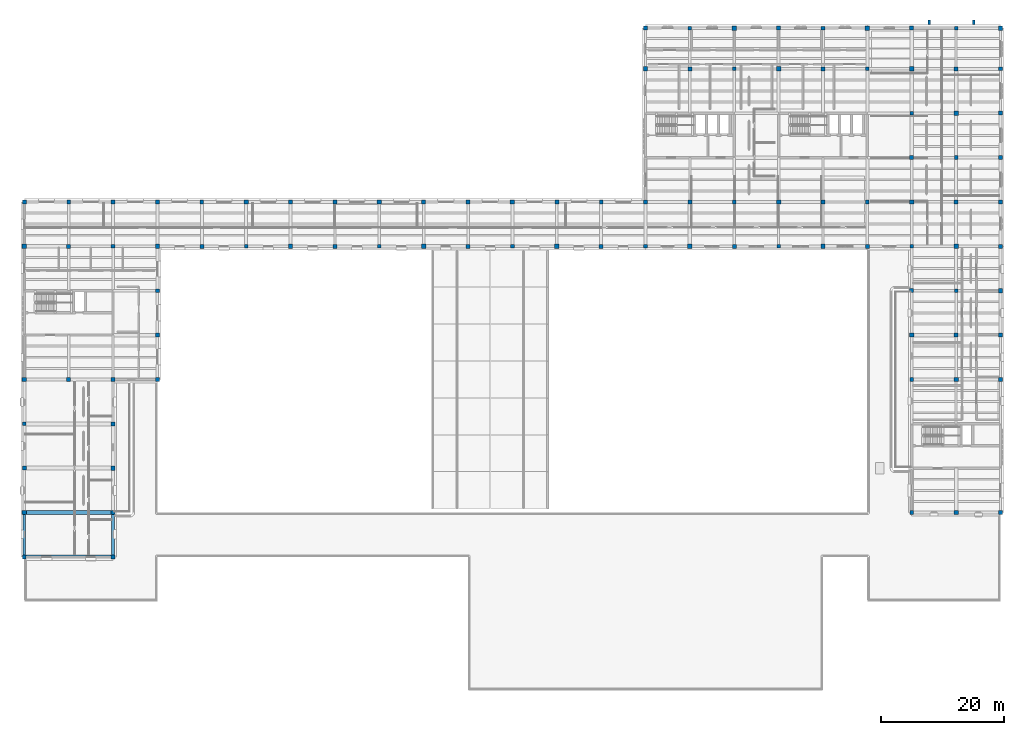
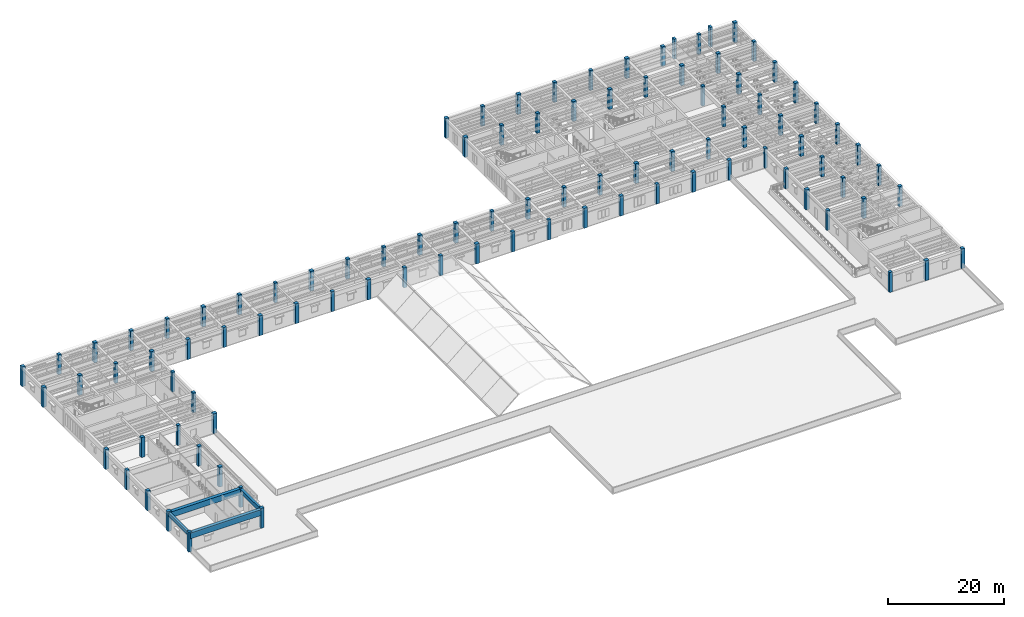
# One storey, part 1 of 40: 98 columns, 4 beams.
"""IFC4 building model written with IfcOpenShell, lengths in metres."""

import ifcopenshell
import ifcopenshell.guid

model = None  # the IFC model being written
_history = None  # IfcOwnerHistory: only IFC2X3 demands one
_inside = {}  # id of a spatial element -> (the spatial element, [elements in it])
_under = {}  # id of a project, library or spatial element -> (it, [spatial elements below it])
_declared = {}  # id of a project -> (the project, [libraries it declares])
_typed = {}  # id of a type object -> (the type object, [elements of that type])
_made_of = {}  # id of a material, layer set ... -> (it, [elements and type objects made of it])


def new_model(schema):
    """Start an empty IFC model of exactly this schema.

    Asked for "IFC4X3", IfcOpenShell would pick the latest addendum, in which some entities
    have other attributes; the version numbers below select the first issue.
    IFC2X3 requires an IfcOwnerHistory on every rooted entity: one is made here for all.
    """
    global model, _history
    if schema == "IFC4X3":
        model = ifcopenshell.file(schema_version=(4, 3, 0, 0))
    else:
        model = ifcopenshell.file(schema=schema)
    _inside.clear()
    _under.clear()
    _declared.clear()
    _typed.clear()
    _made_of.clear()
    _history = None
    if model.schema == "IFC2X3":
        org = make("IfcOrganization", Name="unknown")
        user = make(
            "IfcPersonAndOrganization",
            ThePerson=make("IfcPerson", FamilyName="unknown"),
            TheOrganization=org,
        )
        app = make(
            "IfcApplication",
            ApplicationDeveloper=org,
            Version="unknown",
            ApplicationFullName="unknown",
            ApplicationIdentifier="unknown",
        )
        _history = make(
            "IfcOwnerHistory",
            OwningUser=user,
            OwningApplication=app,
            ChangeAction="ADDED",
            CreationDate=0,
        )
    return model


def make(cls, **values):
    """One entity of the class cls with the attributes given. An attribute that is None is left unset."""
    return model.create_entity(
        cls, **{name: value for name, value in values.items() if value is not None}
    )


def rooted(cls, **values):
    """An entity with a GlobalId (a new one), such as an element, a storey or a relation."""
    return make(cls, GlobalId=ifcopenshell.guid.new(), OwnerHistory=_history, **values)


def si_unit(unit_type, name, prefix=None):
    """IfcSIUnit, for example si_unit("LENGTHUNIT", "METRE", prefix="MILLI")."""
    return make("IfcSIUnit", UnitType=unit_type, Prefix=prefix, Name=name)


def assignment(units):
    """IfcUnitAssignment: the units of a project."""
    return None if units is None else make("IfcUnitAssignment", Units=units)


def point(xyz):
    """IfcCartesianPoint."""
    return None if xyz is None else make("IfcCartesianPoint", Coordinates=xyz)


def direction(xyz):
    """IfcDirection."""
    return None if xyz is None else make("IfcDirection", DirectionRatios=xyz)


def frame(location, z_axis=None, x_axis=None):
    """IfcAxis2Placement3D, a coordinate frame: its origin and axes. An axis left out is left unset."""
    return make(
        "IfcAxis2Placement3D",
        Location=point(location),
        Axis=direction(z_axis),
        RefDirection=direction(x_axis),
    )


def frame_2d(location, x_axis=None):
    """IfcAxis2Placement2D, a coordinate frame in the plane: its origin and x axis."""
    return make(
        "IfcAxis2Placement2D", Location=point(location), RefDirection=direction(x_axis)
    )


def origin():
    """The frame at (0, 0, 0) with its axes left unset."""
    return frame((0.0, 0.0, 0.0))


def origin_2d():
    """The frame at (0, 0) in the plane with its x axis left unset."""
    return frame_2d((0.0, 0.0))


def place(relative_to, where):
    """IfcLocalPlacement: puts the frame where relative to a parent placement (None: the world)."""
    return make(
        "IfcLocalPlacement", PlacementRelTo=relative_to, RelativePlacement=where
    )


def context(
    kind, dimensions, precision=None, world=None, true_north=None, identifier=None
):
    """IfcGeometricRepresentationContext, for example the 3D "Model" context."""
    return make(
        "IfcGeometricRepresentationContext",
        ContextIdentifier=identifier,
        ContextType=kind,
        CoordinateSpaceDimension=dimensions,
        Precision=precision,
        WorldCoordinateSystem=world,
        TrueNorth=true_north,
    )


def subcontext(parent, identifier, kind, view, scale=None):
    """IfcGeometricRepresentationSubContext, for example "Body" below "Model"."""
    return make(
        "IfcGeometricRepresentationSubContext",
        ContextIdentifier=identifier,
        ContextType=kind,
        ParentContext=parent,
        TargetScale=scale,
        TargetView=view,
    )


def project(units=None, contexts=None):
    """IfcProject with its units and contexts."""
    return rooted(
        "IfcProject",
        Name="project",
        RepresentationContexts=contexts,
        UnitsInContext=assignment(units),
    )


def spatial(cls, under=None, at=None, **own):
    """A site, building, storey or space (cls), placed at a placement, below another one or the project."""
    s = rooted(cls, ObjectPlacement=at, **own)
    if under is not None:
        _under.setdefault(under.id(), (under, []))[1].append(s)
    return s


def profile(cls, at=None, kind="AREA", **sizes):
    """A parametric profile (cls). Its sizes go by their IFC names, for example OverallWidth=200.0."""
    return make(cls, ProfileType=kind, Position=at, **sizes)


def rectangle(**sizes):
    """IfcRectangleProfileDef."""
    return profile("IfcRectangleProfileDef", **sizes)


def extrude(swept, where, along, depth):
    """IfcExtrudedAreaSolid: the profile swept, set in the frame where, extruded along a direction by depth."""
    return make(
        "IfcExtrudedAreaSolid",
        SweptArea=swept,
        Position=where,
        ExtrudedDirection=direction(along),
        Depth=depth,
    )


def shape(context_of_items, identifier, shape_type, items):
    """IfcShapeRepresentation: the items that make up one representation, for example the "Body"."""
    return make(
        "IfcShapeRepresentation",
        ContextOfItems=context_of_items,
        RepresentationIdentifier=identifier,
        RepresentationType=shape_type,
        Items=items,
    )


def material(Name=None, Category=None):
    """IfcMaterial."""
    return make("IfcMaterial", Name=Name, Category=Category)


def material_profile(
    of_material, cross_section, Name=None, Category=None, Priority=None
):
    """IfcMaterialProfile: a cross section and its material."""
    return make(
        "IfcMaterialProfile",
        Name=Name,
        Material=of_material,
        Profile=cross_section,
        Priority=Priority,
        Category=Category,
    )


def profile_set(profiles, Name=None, composite=None):
    """IfcMaterialProfileSet."""
    return make(
        "IfcMaterialProfileSet",
        Name=Name,
        MaterialProfiles=profiles,
        CompositeProfile=composite,
    )


def made_of(thing, what):
    """Note that an element or type object is made of a material, layer set ...; save() writes the relation."""
    if what is not None:
        _made_of.setdefault(what.id(), (what, []))[1].append(thing)
    return thing


def type_object(cls, material=None, **own):
    """A type object (cls), such as IfcWallType, which elements share."""
    return made_of(rooted(cls, **own), material)


def element(
    cls,
    number,
    at=None,
    inside=None,
    cuts=None,
    type_object=None,
    material=None,
    context=None,
    identifier="Body",
    shape_type=None,
    held_by="IfcProductDefinitionShape",
    body=None,
    shapes=None,
    **own,
):
    """One element of the class cls, such as IfcWall. Its Tag is "e" and its number.

    at: its placement. inside: the storey or other place that contains it. cuts: it is an
    opening in that element (IfcRelVoidsElement). A single representation is given by context,
    identifier, shape_type and body (its items); several are given by shapes. held_by: the class
    of the entity that holds the representations. save() writes the other relations.
    """
    e = rooted(cls, Tag="e%d" % number, ObjectPlacement=at, **own)
    if body is not None:
        shapes = [shape(context, identifier, shape_type, body)]
    if shapes is not None:
        e.Representation = make(held_by, Representations=shapes)
    if inside is not None:
        _inside.setdefault(inside.id(), (inside, []))[1].append(e)
    if cuts is not None:
        rooted(
            "IfcRelVoidsElement", RelatingBuildingElement=cuts, RelatedOpeningElement=e
        )
    if type_object is not None:
        _typed.setdefault(type_object.id(), (type_object, []))[1].append(e)
    return made_of(e, material)


def aggregate(whole, parts):
    """IfcRelAggregates: a whole, such as a stair, and the parts it consists of."""
    return rooted("IfcRelAggregates", RelatingObject=whole, RelatedObjects=parts)


def save(model, path):
    """Write the relations noted so far, then the file.

    IfcRelAggregates (storeys below a building ...), IfcRelContainedInSpatialStructure (elements
    in a storey), IfcRelDefinesByType, IfcRelAssociatesMaterial and IfcRelDeclares: one each for
    every whole, place, type object, material and project.
    """
    for whole, parts in _under.values():
        aggregate(whole, parts)
    for where, things in _inside.values():
        rooted(
            "IfcRelContainedInSpatialStructure",
            RelatedElements=things,
            RelatingStructure=where,
        )
    for kind, things in _typed.values():
        rooted("IfcRelDefinesByType", RelatedObjects=things, RelatingType=kind)
    for what, things in _made_of.values():
        rooted("IfcRelAssociatesMaterial", RelatedObjects=things, RelatingMaterial=what)
    for by, libraries in _declared.values():
        rooted("IfcRelDeclares", RelatingContext=by, RelatedDefinitions=libraries)
    model.write(path)


model = new_model("IFC4")

# Units and contexts
model_context = context("Model", 3, precision=1e-05, world=origin(), true_north=direction((0.0, 1.0)))
body_context = subcontext(model_context, "Body", "Model", "MODEL_VIEW")
ifc_project = project(units=[si_unit("LENGTHUNIT", "METRE"), si_unit("AREAUNIT", "SQUARE_METRE"), si_unit("VOLUMEUNIT", "CUBIC_METRE"), si_unit("PLANEANGLEUNIT", "RADIAN"), si_unit("MASSUNIT", "GRAM", prefix="KILO")], contexts=[model_context])

# Site, building, storey
site_placement = place(None, origin())
site = spatial("IfcSite", under=ifc_project, at=site_placement, CompositionType="ELEMENT")
building_placement = place(site_placement, origin())
building = spatial("IfcBuilding", under=site, at=building_placement, Name="Mithqara Police Headquarters", CompositionType="ELEMENT")
storey_placement = place(building_placement, frame((0.0, 0.0, 13.800048828125)))
storey = spatial("IfcBuildingStorey", under=building, at=storey_placement, Name="L03", CompositionType="ELEMENT", Elevation=13.800048828125)

# Columns
ifc_material_1 = material(Name="Concrete C50/60", Category="concrete")
ifc_material_profile_1 = material_profile(ifc_material_1, rectangle(XDim=0.60009765625, YDim=0.60009765625, at=origin_2d()), Name="RC 600x600")
ifc_profile_set_1 = profile_set([ifc_material_profile_1], Name="Concrete C50/60")
column_type_1 = type_object("IfcColumnType", Name="COLUMN RC600", PredefinedType="COLUMN", material=ifc_profile_set_1)
for number, where, z_axis, x_axis, name in (
    (1, (7.800048828125, 28.199951171875, 0.0), (0.0, 0.0, 1.0), (1.0, 0.0, 0.0), "L03 Column 2/E"),
    (2, (7.800048828125, 49.800048828125, 0.0), (0.0, 0.0, 1.0), (1.0, 0.0, 0.0), "L03 Column 2/H"),
    (3, (15.0, 85.800048828125, 0.0), (0.0, 0.0, 1.0), (1.0, 0.0, 0.0), "L03 Column 3/N"),
    (4, (22.199951171875, 35.39990234375, 0.0), (0.0, 0.0, 1.0), (1.0, 0.0, 0.0), "L03 Column 4/F"),
    (5, (22.199951171875, 57.0, 0.0), (0.0, 0.0, 1.0), (1.0, 0.0, 0.0), "L03 Column 4/J"),
    (6, (22.199951171875, 78.60009765625, 0.0), (0.0, 0.0, 1.0), (1.0, 0.0, 0.0), "L03 Column 4/M"),
    (7, (29.39990234375, 71.39990234375, 0.0), (0.0, 0.0, 1.0), (1.0, 0.0, 0.0), "L03 Column 5/L"),
    (8, (36.60009765625, 85.800048828125, 0.0), (0.0, 0.0, 1.0), (1.0, 0.0, 0.0), "L03 Column 6/N"),
    (9, (43.800048828125, 78.60009765625, 0.0), (0.0, 0.0, 1.0), (1.0, 0.0, 0.0), "L03 Column 7/M"),
    (10, (58.199951171875, 85.800048828125, 0.0), (0.0, 0.0, 1.0), (1.0, 0.0, 0.0), "L03 Column 9/N"),
    (11, (65.39990234375, 78.60009765625, 0.0), (0.0, 0.0, 1.0), (1.0, 0.0, 0.0), "L03 Column 10/M"),
    (12, (79.800048828125, 85.800048828125, 0.0), (0.0, 0.0, 1.0), (1.0, 0.0, 0.0), "L03 Column 12/N"),
    (13, (87.0, 78.60009765625, 0.0), (0.0, 0.0, 1.0), (1.0, 0.0, 0.0), "L03 Column 13/M"),
    (14, (101.39990234375, 85.800048828125, 0.0), (0.0, 0.0, 1.0), (1.0, 0.0, 0.0), "L03 Column 15/N"),
    (15, (108.60009765625, 78.60009765625, 0.0), (0.0, 0.0, 1.0), (1.0, 0.0, 0.0), "L03 Column 16/M"),
    (16, (115.800048828125, 114.0, 0.0), (0.0, 0.0, 1.0), (1.0, 0.0, 0.0), "L03 Column 17/S"),
    (17, (123.0, 85.800048828125, 0.0), (0.0, 0.0, 1.0), (1.0, 0.0, 0.0), "L03 Column 18/N"),
    (18, (123.0, 107.39990234375, 0.0), (0.0, 0.0, 1.0), (1.0, 0.0, 0.0), "L03 Column 18/R"),
    (19, (130.199951171875, 78.60009765625, 0.0), (0.0, 0.0, 1.0), (1.0, 0.0, 0.0), "L03 Column 19/M"),
    (20, (137.39990234375, 114.0, 0.0), (0.0, 0.0, 1.0), (1.0, 0.0, 0.0), "L03 Column 20/S"),
    (21, (144.60009765625, 85.800048828125, 0.0), (0.0, 0.0, 1.0), (1.0, 0.0, 0.0), "L03 Column 21/N"),
    (22, (144.60009765625, 107.39990234375, 0.0), (0.0, 0.0, 1.0), (1.0, 0.0, 0.0), "L03 Column 21/R"),
    (23, (151.800048828125, 35.39990234375, 0.0), (0.0, 0.0, 1.0), (1.0, 0.0, 0.0), "L03 Column 22/F"),
    (24, (151.800048828125, 57.0, 0.0), (0.0, 0.0, 1.0), (1.0, 0.0, 0.0), "L03 Column 22/J"),
    (25, (151.800048828125, 78.60009765625, 0.0), (0.0, 0.0, 1.0), (1.0, 0.0, 0.0), "L03 Column 22/M"),
    (26, (151.800048828125, 100.199951171875, 0.0), (0.0, 0.0, 1.0), (1.0, 0.0, 0.0), "L03 Column 22/Q"),
    (27, (159.0, 71.39990234375, 0.0), (0.0, 0.0, 1.0), (1.0, 0.0, 0.0), "L03 Column 23/L"),
    (28, (159.0, 93.0, 0.0), (0.0, 0.0, 1.0), (1.0, 0.0, 0.0), "L03 Column 23/P"),
    (29, (159.0, 114.0, 0.0), (0.0, 0.0, 1.0), (1.0, 0.0, 0.0), "L03 Column 23/S"),
    (30, (166.199951171875, 64.199951171875, 0.0), (0.0, 0.0, 1.0), (1.0, 0.0, 0.0), "L03 Column 24/K"),
    (31, (166.199951171875, 85.800048828125, 0.0), (0.0, 0.0, 1.0), (1.0, 0.0, 0.0), "L03 Column 24/N"),
    (32, (166.199951171875, 107.39990234375, 0.0), (0.0, 0.0, 1.0), (1.0, 0.0, 0.0), "L03 Column 24/R"),
):
    element("IfcColumn", number, at=place(storey_placement, frame(where, z_axis=z_axis, x_axis=x_axis)), inside=storey, type_object=column_type_1, Name=name, PredefinedType="COLUMN", context=body_context, shape_type="SweptSolid", body=[
        extrude(rectangle(XDim=0.60009765625, YDim=0.60009765625, at=origin_2d()), origin(), (0.0, 0.0, 1.0), 4.199951171875),
    ])
ifc_material_profile_2 = material_profile(ifc_material_1, rectangle(XDim=0.64990234375, YDim=0.64990234375, at=origin_2d()), Name="RC 650x650")
ifc_profile_set_2 = profile_set([ifc_material_profile_2], Name="Concrete C50/60")
column_type_2 = type_object("IfcColumnType", Name="COLUMN RC650", PredefinedType="COLUMN", material=ifc_profile_set_2)
for number, where, z_axis, x_axis, name in (
    (33, (7.800048828125, 42.60009765625, 0.0), (0.0, 0.0, 1.0), (1.0, 0.0, 0.0), "L03 Column 2/G"),
    (34, (7.800048828125, 85.800048828125, 0.0), (0.0, 0.0, 1.0), (1.0, 0.0, 0.0), "L03 Column 2/N"),
    (35, (15.0, 57.0, 0.0), (0.0, 0.0, 1.0), (1.0, 0.0, 0.0), "L03 Column 3/J"),
    (36, (15.0, 78.60009765625, 0.0), (0.0, 0.0, 1.0), (1.0, 0.0, 0.0), "L03 Column 3/M"),
    (37, (22.199951171875, 28.199951171875, 0.0), (0.0, 0.0, 1.0), (1.0, 0.0, 0.0), "L03 Column 4/E"),
    (38, (22.199951171875, 49.800048828125, 0.0), (0.0, 0.0, 1.0), (1.0, 0.0, 0.0), "L03 Column 4/H"),
    (39, (29.39990234375, 64.199951171875, 0.0), (0.0, 0.0, 1.0), (1.0, 0.0, 0.0), "L03 Column 5/K"),
    (40, (29.39990234375, 85.800048828125, 0.0), (0.0, 0.0, 1.0), (1.0, 0.0, 0.0), "L03 Column 5/N"),
    (41, (36.60009765625, 78.60009765625, 0.0), (0.0, 0.0, 1.0), (1.0, 0.0, 0.0), "L03 Column 6/M"),
    (42, (51.0, 85.800048828125, 0.0), (0.0, 0.0, 1.0), (1.0, 0.0, 0.0), "L03 Column 8/N"),
    (43, (58.199951171875, 78.60009765625, 0.0), (0.0, 0.0, 1.0), (1.0, 0.0, 0.0), "L03 Column 9/M"),
    (44, (72.60009765625, 85.800048828125, 0.0), (0.0, 0.0, 1.0), (1.0, 0.0, 0.0), "L03 Column 11/N"),
    (45, (79.800048828125, 78.60009765625, 0.0), (0.0, 0.0, 1.0), (1.0, 0.0, 0.0), "L03 Column 12/M"),
    (46, (94.199951171875, 85.800048828125, 0.0), (0.0, 0.0, 1.0), (1.0, 0.0, 0.0), "L03 Column 14/N"),
    (47, (101.39990234375, 78.60009765625, 0.0), (0.0, 0.0, 1.0), (1.0, 0.0, 0.0), "L03 Column 15/M"),
    (48, (108.60009765625, 114.0, 0.0), (0.0, 0.0, 1.0), (1.0, 0.0, 0.0), "L03 Column 16/S"),
    (49, (115.800048828125, 85.800048828125, 0.0), (0.0, 0.0, 1.0), (1.0, 0.0, 0.0), "L03 Column 17/N"),
    (50, (115.800048828125, 107.39990234375, 0.0), (0.0, 0.0, 1.0), (1.0, 0.0, 0.0), "L03 Column 17/R"),
    (51, (123.0, 78.60009765625, 0.0), (0.0, 0.0, 1.0), (1.0, 0.0, 0.0), "L03 Column 18/M"),
    (52, (130.199951171875, 114.0, 0.0), (0.0, 0.0, 1.0), (1.0, 0.0, 0.0), "L03 Column 19/S"),
    (53, (137.39990234375, 85.800048828125, 0.0), (0.0, 0.0, 1.0), (1.0, 0.0, 0.0), "L03 Column 20/N"),
    (54, (137.39990234375, 107.39990234375, 0.0), (0.0, 0.0, 1.0), (1.0, 0.0, 0.0), "L03 Column 20/R"),
    (55, (144.60009765625, 78.60009765625, 0.0), (0.0, 0.0, 1.0), (1.0, 0.0, 0.0), "L03 Column 21/M"),
    (56, (151.800048828125, 71.39990234375, 0.0), (0.0, 0.0, 1.0), (1.0, 0.0, 0.0), "L03 Column 22/L"),
    (57, (151.800048828125, 93.0, 0.0), (0.0, 0.0, 1.0), (1.0, 0.0, 0.0), "L03 Column 22/P"),
    (58, (151.800048828125, 114.0, 0.0), (0.0, 0.0, 1.0), (1.0, 0.0, 0.0), "L03 Column 22/S"),
    (59, (159.0, 64.199951171875, 0.0), (0.0, 0.0, 1.0), (1.0, 0.0, 0.0), "L03 Column 23/K"),
    (60, (159.0, 85.800048828125, 0.0), (0.0, 0.0, 1.0), (1.0, 0.0, 0.0), "L03 Column 23/N"),
    (61, (159.0, 107.39990234375, 0.0), (0.0, 0.0, 1.0), (1.0, 0.0, 0.0), "L03 Column 23/R"),
    (62, (166.199951171875, 35.39990234375, 0.0), (0.0, 0.0, 1.0), (1.0, 0.0, 0.0), "L03 Column 24/F"),
    (63, (166.199951171875, 57.0, 0.0), (0.0, 0.0, 1.0), (1.0, 0.0, 0.0), "L03 Column 24/J"),
    (64, (166.199951171875, 78.60009765625, 0.0), (0.0, 0.0, 1.0), (1.0, 0.0, 0.0), "L03 Column 24/M"),
    (65, (166.199951171875, 100.199951171875, 0.0), (0.0, 0.0, 1.0), (1.0, 0.0, 0.0), "L03 Column 24/Q"),
):
    element("IfcColumn", number, at=place(storey_placement, frame(where, z_axis=z_axis, x_axis=x_axis)), inside=storey, type_object=column_type_2, Name=name, PredefinedType="COLUMN", context=body_context, shape_type="SweptSolid", body=[
        extrude(rectangle(XDim=0.64990234375, YDim=0.64990234375, at=origin_2d()), origin(), (0.0, 0.0, 1.0), 4.199951171875),
    ])
ifc_material_profile_3 = material_profile(ifc_material_1, rectangle(XDim=0.699951171875, YDim=0.699951171875, at=origin_2d()), Name="RC 700x700")
ifc_profile_set_3 = profile_set([ifc_material_profile_3], Name="Concrete C50/60")
column_type_3 = type_object("IfcColumnType", Name="COLUMN RC700", PredefinedType="COLUMN", material=ifc_profile_set_3)
for number, where, z_axis, x_axis, name in (
    (66, (7.800048828125, 35.39990234375, 0.0), (0.0, 0.0, 1.0), (1.0, 0.0, 0.0), "L03 Column 2/F"),
    (67, (7.800048828125, 57.0, 0.0), (0.0, 0.0, 1.0), (1.0, 0.0, 0.0), "L03 Column 2/J"),
    (68, (7.800048828125, 78.60009765625, 0.0), (0.0, 0.0, 1.0), (1.0, 0.0, 0.0), "L03 Column 2/M"),
    (69, (22.199951171875, 42.60009765625, 0.0), (0.0, 0.0, 1.0), (1.0, 0.0, 0.0), "L03 Column 4/G"),
    (70, (22.199951171875, 85.800048828125, 0.0), (0.0, 0.0, 1.0), (1.0, 0.0, 0.0), "L03 Column 4/N"),
    (71, (29.39990234375, 57.0, 0.0), (0.0, 0.0, 1.0), (1.0, 0.0, 0.0), "L03 Column 5/J"),
    (72, (29.39990234375, 78.60009765625, 0.0), (0.0, 0.0, 1.0), (1.0, 0.0, 0.0), "L03 Column 5/M"),
    (73, (43.800048828125, 85.800048828125, 0.0), (0.0, 0.0, 1.0), (1.0, 0.0, 0.0), "L03 Column 7/N"),
    (74, (51.0, 78.60009765625, 0.0), (0.0, 0.0, 1.0), (1.0, 0.0, 0.0), "L03 Column 8/M"),
    (75, (65.39990234375, 85.800048828125, 0.0), (0.0, 0.0, 1.0), (1.0, 0.0, 0.0), "L03 Column 10/N"),
    (76, (72.60009765625, 78.60009765625, 0.0), (0.0, 0.0, 1.0), (1.0, 0.0, 0.0), "L03 Column 11/M"),
    (77, (87.0, 85.800048828125, 0.0), (0.0, 0.0, 1.0), (1.0, 0.0, 0.0), "L03 Column 13/N"),
    (78, (94.199951171875, 78.60009765625, 0.0), (0.0, 0.0, 1.0), (1.0, 0.0, 0.0), "L03 Column 14/M"),
    (79, (108.60009765625, 85.800048828125, 0.0), (0.0, 0.0, 1.0), (1.0, 0.0, 0.0), "L03 Column 16/N"),
    (80, (108.60009765625, 107.39990234375, 0.0), (0.0, 0.0, 1.0), (1.0, 0.0, 0.0), "L03 Column 16/R"),
    (81, (115.800048828125, 78.60009765625, 0.0), (0.0, 0.0, 1.0), (1.0, 0.0, 0.0), "L03 Column 17/M"),
    (82, (123.0, 114.0, 0.0), (0.0, 0.0, 1.0), (1.0, 0.0, 0.0), "L03 Column 18/S"),
    (83, (130.199951171875, 85.800048828125, 0.0), (0.0, 0.0, 1.0), (1.0, 0.0, 0.0), "L03 Column 19/N"),
    (84, (130.199951171875, 107.39990234375, 0.0), (0.0, 0.0, 1.0), (1.0, 0.0, 0.0), "L03 Column 19/R"),
    (85, (137.39990234375, 78.60009765625, 0.0), (0.0, 0.0, 1.0), (1.0, 0.0, 0.0), "L03 Column 20/M"),
    (86, (144.60009765625, 114.0, 0.0), (0.0, 0.0, 1.0), (1.0, 0.0, 0.0), "L03 Column 21/S"),
    (87, (151.800048828125, 64.199951171875, 0.0), (0.0, 0.0, 1.0), (1.0, 0.0, 0.0), "L03 Column 22/K"),
    (88, (151.800048828125, 85.800048828125, 0.0), (0.0, 0.0, 1.0), (1.0, 0.0, 0.0), "L03 Column 22/N"),
    (89, (151.800048828125, 107.39990234375, 0.0), (0.0, 0.0, 1.0), (1.0, 0.0, 0.0), "L03 Column 22/R"),
    (90, (159.0, 35.39990234375, 0.0), (0.0, 0.0, 1.0), (1.0, 0.0, 0.0), "L03 Column 23/F"),
    (91, (159.0, 57.0, 0.0), (0.0, 0.0, 1.0), (1.0, 0.0, 0.0), "L03 Column 23/J"),
    (92, (159.0, 78.60009765625, 0.0), (0.0, 0.0, 1.0), (1.0, 0.0, 0.0), "L03 Column 23/M"),
    (93, (159.0, 100.199951171875, 0.0), (0.0, 0.0, 1.0), (1.0, 0.0, 0.0), "L03 Column 23/Q"),
    (94, (166.199951171875, 71.39990234375, 0.0), (0.0, 0.0, 1.0), (1.0, 0.0, 0.0), "L03 Column 24/L"),
    (95, (166.199951171875, 93.0, 0.0), (0.0, 0.0, 1.0), (1.0, 0.0, 0.0), "L03 Column 24/P"),
    (96, (166.199951171875, 114.0, 0.0), (0.0, 0.0, 1.0), (1.0, 0.0, 0.0), "L03 Column 24/S"),
):
    element("IfcColumn", number, at=place(storey_placement, frame(where, z_axis=z_axis, x_axis=x_axis)), inside=storey, type_object=column_type_3, Name=name, PredefinedType="COLUMN", context=body_context, shape_type="SweptSolid", body=[
        extrude(rectangle(XDim=0.699951171875, YDim=0.699951171875, at=origin_2d()), origin(), (0.0, 0.0, 1.0), 4.199951171875),
    ])
ifc_material_profile_4 = material_profile(ifc_material_1, rectangle(XDim=0.449951171875, YDim=0.75, at=origin_2d()), Name="PIL 450x750")
ifc_profile_set_4 = profile_set([ifc_material_profile_4], Name="Concrete C50/60")
column_type_4 = type_object("IfcColumnType", Name="PILASTER 450X750", PredefinedType="PILASTER", material=ifc_profile_set_4)
for number, where, z_axis, x_axis, name in (
    (97, (154.64990234375, 114.949951171875, 0.0), (0.0, 0.0, 1.0), (1.0, 0.0, 0.0), "L03 North Avenue Pilaster 1"),
    (98, (161.85009765625, 114.949951171875, 0.0), (0.0, 0.0, 1.0), (1.0, 0.0, 0.0), "L03 North Avenue Pilaster 2"),
):
    element("IfcColumn", number, at=place(storey_placement, frame(where, z_axis=z_axis, x_axis=x_axis)), inside=storey, type_object=column_type_4, Name=name, PredefinedType="PILASTER", context=body_context, shape_type="SweptSolid", body=[
        extrude(rectangle(XDim=0.449951171875, YDim=0.75, at=origin_2d()), origin(), (0.0, 0.0, 1.0), 4.199951171875),
    ])

# Beams
ifc_material_2 = material(Name="Concrete C40/50", Category="concrete")
ifc_material_profile_5 = material_profile(ifc_material_2, rectangle(XDim=0.449951171875, YDim=0.699951171875, at=origin_2d()), Name="RC 450x700")
ifc_profile_set_5 = profile_set([ifc_material_profile_5], Name="Concrete C40/50")
beam_type_1 = type_object("IfcBeamType", Name="BEAM RC450X700", PredefinedType="BEAM", material=ifc_profile_set_5)
beam_1_placement = place(storey_placement, frame((7.800048828125, 28.199951171875, 3.58984375), z_axis=(0.0, 1.0, 0.0), x_axis=(-1.0, 0.0, 0.0)))
element("IfcBeam", 99, at=beam_1_placement, inside=storey, type_object=beam_type_1, Name="L03 Girder 2/E-F", PredefinedType="BEAM", context=body_context, shape_type="SweptSolid", body=[
    extrude(rectangle(XDim=0.449951171875, YDim=0.699951171875, at=origin_2d()), origin(), (0.0, 0.0, 1.0), 7.199951171875),
])
ifc_material_profile_6 = material_profile(ifc_material_2, rectangle(XDim=0.5, YDim=0.85009765625, at=origin_2d()), Name="RC 500x850")
ifc_profile_set_6 = profile_set([ifc_material_profile_6], Name="Concrete C40/50")
beam_type_2 = type_object("IfcBeamType", Name="BEAM RC500X850", PredefinedType="BEAM", material=ifc_profile_set_6)
beam_2_placement = place(storey_placement, frame((22.199951171875, 28.199951171875, 3.514892578125), z_axis=(0.0, 1.0, 0.0), x_axis=(-1.0, 0.0, 0.0)))
element("IfcBeam", 100, at=beam_2_placement, inside=storey, type_object=beam_type_2, Name="L03 Girder 4/E-F", PredefinedType="BEAM", context=body_context, shape_type="SweptSolid", body=[
    extrude(rectangle(XDim=0.5, YDim=0.85009765625, at=origin_2d()), origin(), (0.0, 0.0, 1.0), 7.199951171875),
])
ifc_material_profile_7 = material_profile(ifc_material_1, rectangle(XDim=0.64990234375, YDim=1.199951171875, at=origin_2d()), Name="RC 650x1200")
ifc_profile_set_7 = profile_set([ifc_material_profile_7], Name="Concrete C50/60")
beam_type_3 = type_object("IfcBeamType", Name="TRANSFER RC650X1200", PredefinedType="BEAM", material=ifc_profile_set_7)
for number, where, z_axis, x_axis, name in (
    (101, (7.800048828125, 28.199951171875, 3.33984375), (1.0, 0.0, 0.0), (0.0, 1.0, 0.0), "L03 Girder 2-4/E"),
    (102, (7.800048828125, 35.39990234375, 3.33984375), (1.0, 0.0, 0.0), (0.0, 1.0, 0.0), "L03 Girder 2-4/F"),
):
    element("IfcBeam", number, at=place(storey_placement, frame(where, z_axis=z_axis, x_axis=x_axis)), inside=storey, type_object=beam_type_3, Name=name, PredefinedType="BEAM", context=body_context, shape_type="SweptSolid", body=[
        extrude(rectangle(XDim=0.64990234375, YDim=1.199951171875, at=origin_2d()), origin(), (0.0, 0.0, 1.0), 14.39990234375),
    ])

save(model, "model.ifc")
